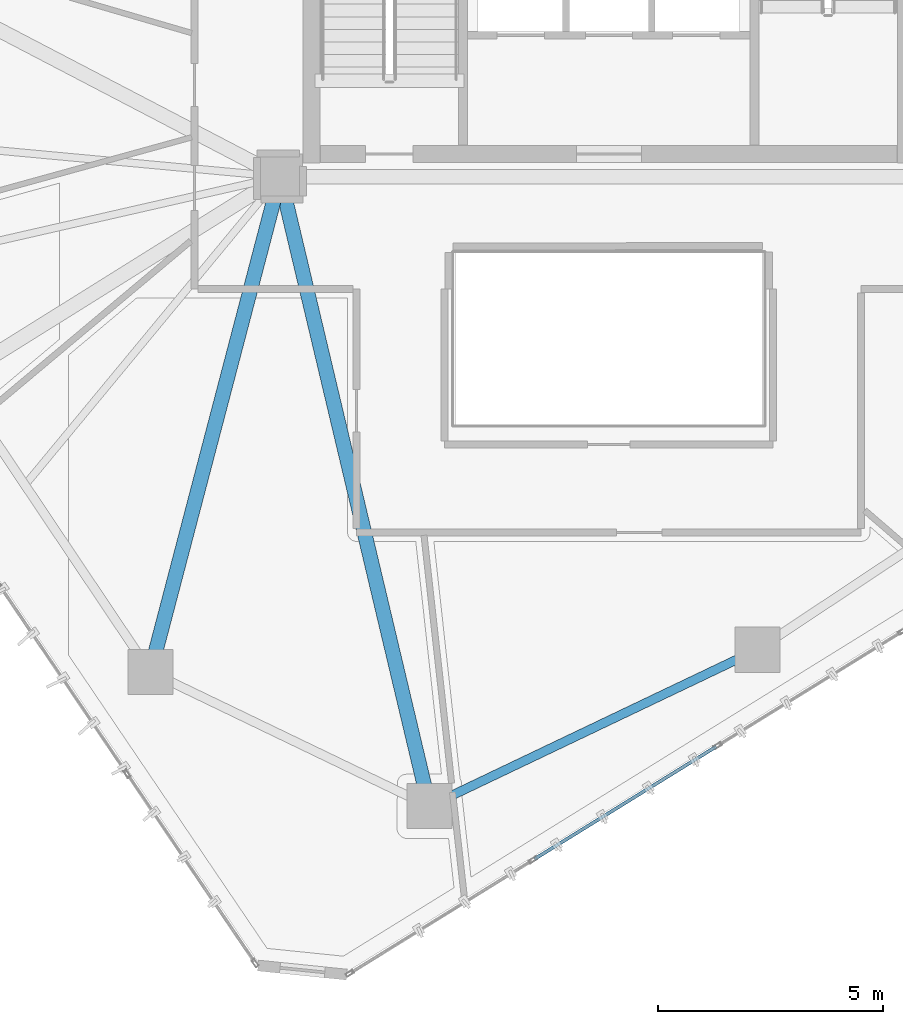
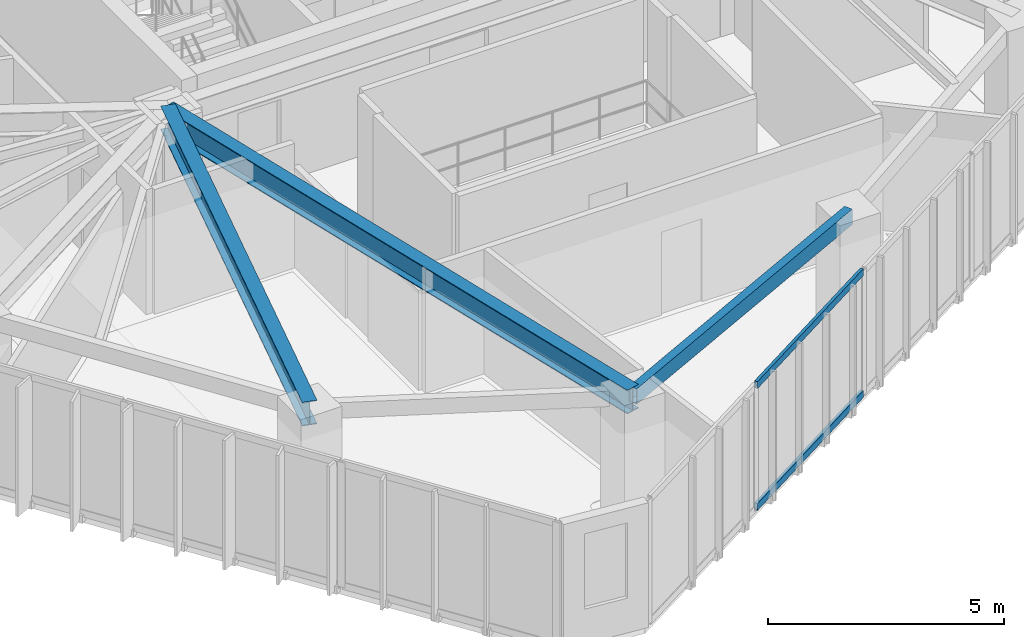
# One storey, part 4 of 21: 3 beams, 2 members, 1 element without a shape of its own.
"""IFC4 building model written with IfcOpenShell, lengths in metres."""

from ifc_helpers import new_model, si_unit, direction, frame, origin, origin_2d, place, context, subcontext, project, spatial, hollow_rectangle, i_section, extrude, source, transform, mapped, material, layer, layer_set, material_profile, profile_set, type_object, type_shapes, element, aggregate, save


model = new_model("IFC4")

# Units and contexts
model_context = context("Model", 3, precision=1e-05, world=origin(), true_north=direction((0.0, 1.0)))
body_context = subcontext(model_context, "Body", "Model", "MODEL_VIEW")
ifc_project = project(units=[si_unit("LENGTHUNIT", "METRE"), si_unit("AREAUNIT", "SQUARE_METRE"), si_unit("VOLUMEUNIT", "CUBIC_METRE"), si_unit("PLANEANGLEUNIT", "RADIAN"), si_unit("MASSUNIT", "GRAM", prefix="KILO")], contexts=[model_context])

# Site, building, storey
site_placement = place(None, origin())
site = spatial("IfcSite", under=ifc_project, at=site_placement, CompositionType="ELEMENT")
building_placement = place(site_placement, origin())
building = spatial("IfcBuilding", under=site, at=building_placement, Name="Talar Marvaseh", CompositionType="ELEMENT")
storey_placement = place(building_placement, frame((0.0, 0.0, 184.5)))
storey = spatial("IfcBuildingStorey", under=building, at=storey_placement, Name="L48", CompositionType="ELEMENT", Elevation=184.5)

# Beams
ifc_material_1 = material(Name="Steel S355", Category="steel")
ifc_material_profile_1 = material_profile(ifc_material_1, hollow_rectangle(XDim=0.199951171875, YDim=0.39990234375, WallThickness=0.013916015625, at=origin_2d()), Name="RHS400x200x14")
ifc_profile_set_1 = profile_set([ifc_material_profile_1], Name="Steel S355")
beam_type_1 = type_object("IfcBeamType", Name="Zone 3 Perimeter Spandrel Beam RHS400x200x14", PredefinedType="SPANDREL", material=ifc_profile_set_1)
beam_1_placement = place(storey_placement, frame((29.299072265625, 14.993896484375, 3.030029296875), z_axis=(-0.902562267408, -0.430559349511, 0.0), x_axis=(0.430559349511, -0.902562267408, 0.0)))
element("IfcBeam", 1, at=beam_1_placement, inside=storey, type_object=beam_type_1, Name="L48 Zone 3 Perimeter Spandrel Beam RHS400x200x14", PredefinedType="SPANDREL", context=body_context, shape_type="SweptSolid", body=[
    extrude(hollow_rectangle(XDim=0.199951171875, YDim=0.39990234375, WallThickness=0.013916015625, at=origin_2d()), origin(), (0.0, 0.0, 1.0), 8.070556640625),
])
ifc_material_profile_2 = material_profile(ifc_material_1, i_section(OverallWidth=0.324951171875, OverallDepth=0.615966796875, WebThickness=0.013916015625, FlangeThickness=0.021484375, at=origin_2d()), Name="W610x174")
ifc_profile_set_2 = profile_set([ifc_material_profile_2], Name="Steel S355")
beam_type_2 = type_object("IfcBeamType", Name="Zone 3 Radial Floor Girder W610x174", PredefinedType="BEAM", material=ifc_profile_set_2)
beam_2_placement = place(storey_placement, frame((22.014892578125, 11.51904296875, 2.922119140625), z_axis=(-0.230707708791, 0.973023099985, 0.0), x_axis=(-0.973023099985, -0.230707708791, 0.0)))
element("IfcBeam", 2, at=beam_2_placement, inside=storey, type_object=beam_type_2, Name="L48 Zone 3 Radial Floor Girder W610x174", PredefinedType="BEAM", context=body_context, shape_type="SweptSolid", body=[
    extrude(i_section(OverallWidth=0.324951171875, OverallDepth=0.615966796875, WebThickness=0.013916015625, FlangeThickness=0.021484375, at=origin_2d()), origin(), (0.0, 0.0, 1.0), 14.36865234375),
])
beam_3_placement = place(storey_placement, frame((15.819091796875, 14.5009765625, 2.922119140625), z_axis=(0.253372787776, 0.967368714821, 0.0), x_axis=(-0.967368714821, 0.253372787776, 0.0)))
element("IfcBeam", 3, at=beam_3_placement, inside=storey, type_object=beam_type_2, Name="L48 Zone 3 Radial Floor Girder W610x174", PredefinedType="BEAM", context=body_context, shape_type="SweptSolid", body=[
    extrude(i_section(OverallWidth=0.324951171875, OverallDepth=0.615966796875, WebThickness=0.013916015625, FlangeThickness=0.021484375, at=origin_2d()), origin(), (0.0, 0.0, 1.0), 11.3701171875),
])

# Curtain wall, members
ifc_material_2 = material(Name="Architectural Aluminium", Category="aluminium")
ifc_layer = layer(ifc_material_2, 0.18994140625)
ifc_layer_set = layer_set([ifc_layer], Name="Architectural Aluminium")
curtain_wall_type = type_object("IfcCurtainWallType", Name="Unitised Solar Atelier Curtain Wall Z3", PredefinedType="NOTDEFINED", material=ifc_layer_set)
curtain_wall_placement = place(storey_placement, origin())
curtain_wall = element("IfcCurtainWall", 4, at=curtain_wall_placement, inside=storey, type_object=curtain_wall_type, Name="L48 Unitised Solar Atelier Curtain Wall Z3", PredefinedType="NOTDEFINED")
ifc_material_profile_3 = material_profile(ifc_material_2, hollow_rectangle(XDim=0.074951171875, YDim=0.179931640625, WallThickness=0.0048828125, at=origin_2d()), Name="RHS180x75x5")
ifc_profile_set_3 = profile_set([ifc_material_profile_3], Name="Architectural Aluminium")
member_type = type_object("IfcMemberType", Name="Unitised Curtain Wall Transom RHS180x75x5", PredefinedType="USERDEFINED", material=ifc_profile_set_3)
shared_shape = source(origin(), body_context, "Body", "SweptSolid", [
    extrude(hollow_rectangle(XDim=0.074951171875, YDim=0.179931640625, WallThickness=0.0048828125, at=origin_2d()), origin(), (0.0, 0.0, 1.0), 4.7470703125),
])
type_shapes(member_type, [shared_shape])
member_1_placement = place(storey_placement, frame((28.386962890625, 12.8447265625, 0.03759765625), z_axis=(-0.850281586806, -0.526328056576, 0.0), x_axis=(0.526328056576, -0.850281586806, 0.0)))
member_1 = element("IfcMember", 5, at=member_1_placement, type_object=member_type, Name="CW-Z3 transom 3.1", ObjectType="TRANSOM", PredefinedType="USERDEFINED", context=body_context, shape_type="MappedRepresentation", body=[
    mapped(shared_shape, transform((0.0, 0.0, 0.0), x_axis=(1.0, 0.0, 0.0), y_axis=(0.0, 1.0, 0.0), z_axis=(0.0, 0.0, 1.0), scale=1.0)),
])
member_2_placement = place(storey_placement, frame((28.386962890625, 12.8447265625, 3.1923828125), z_axis=(-0.850281586806, -0.526328056576, 0.0), x_axis=(0.526328056576, -0.850281586806, 0.0)))
member_2 = element("IfcMember", 6, at=member_2_placement, type_object=member_type, Name="CW-Z3 transom 3.2", ObjectType="TRANSOM", PredefinedType="USERDEFINED", context=body_context, shape_type="MappedRepresentation", body=[
    mapped(shared_shape, transform((0.0, 0.0, 0.0), x_axis=(1.0, 0.0, 0.0), y_axis=(0.0, 1.0, 0.0), z_axis=(0.0, 0.0, 1.0), scale=1.0)),
])
aggregate(curtain_wall, [member_1, member_2])

save(model, "model.ifc")
